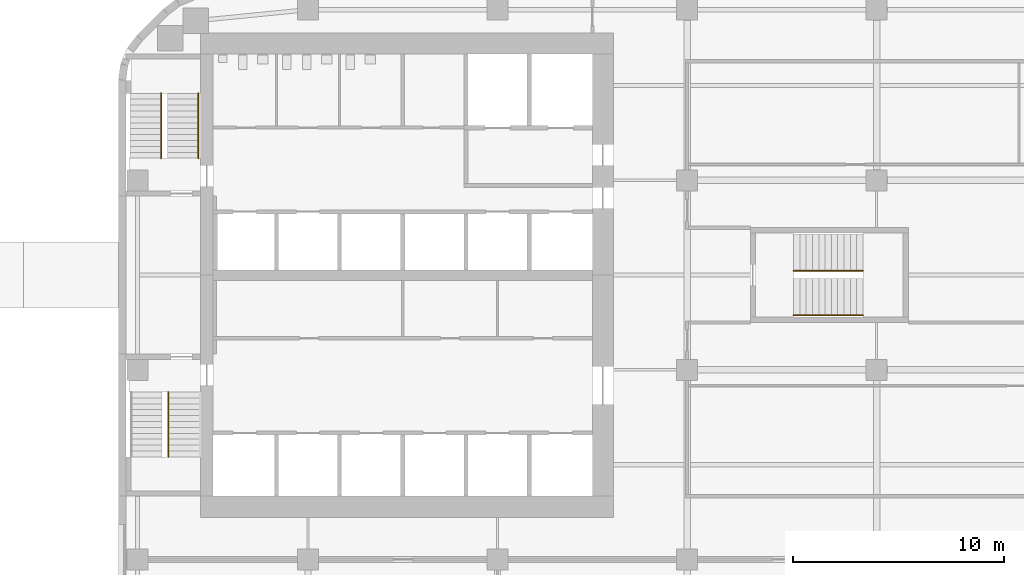
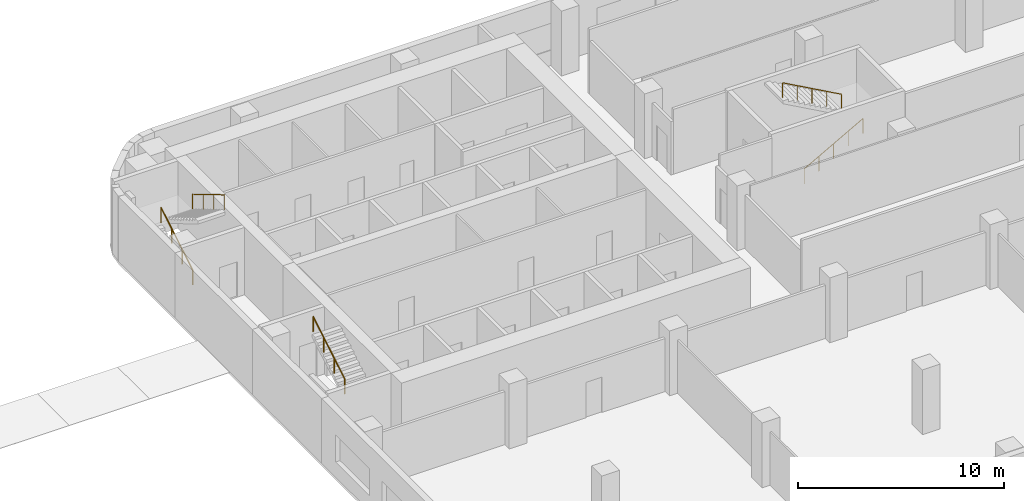
# One storey, part 14 of 15: 5 railings, 3 elements without a shape of their own.
"""IFC4 building model written with IfcOpenShell, lengths in metres."""

from ifc_helpers import new_model, si_unit, direction, frame, origin, origin_2d, place, context, subcontext, project, spatial, circle, extrude, material, type_object, element, aggregate, save


model = new_model("IFC4")

# Units and contexts
model_context = context("Model", 3, precision=1e-05, world=origin(), true_north=direction((0.0, 1.0)))
body_context = subcontext(model_context, "Body", "Model", "MODEL_VIEW")
ifc_project = project(units=[si_unit("LENGTHUNIT", "METRE"), si_unit("AREAUNIT", "SQUARE_METRE"), si_unit("VOLUMEUNIT", "CUBIC_METRE"), si_unit("PLANEANGLEUNIT", "RADIAN"), si_unit("MASSUNIT", "GRAM", prefix="KILO")], contexts=[model_context])

# Site, building, storey
site_placement = place(None, origin())
site = spatial("IfcSite", under=ifc_project, at=site_placement, CompositionType="ELEMENT")
building_placement = place(site_placement, origin())
building = spatial("IfcBuilding", under=site, at=building_placement, Name="Cinnabar Reach Civic Tower", CompositionType="ELEMENT")
storey_placement = place(building_placement, frame((0.0, 0.0, 75.0)))
storey = spatial("IfcBuildingStorey", under=building, at=storey_placement, Name="L17", CompositionType="ELEMENT", Elevation=75.0)

# Stair, railing
ifc_material_1 = material(Name="Concrete C40/50", Category="concrete")
stair_type = type_object("IfcStairType", Name="T1 Exit stair, half-turn", PredefinedType="HALF_TURN_STAIR", material=ifc_material_1)
stair_1_placement = place(storey_placement, origin())
stair_1 = element("IfcStair", 1, at=stair_1_placement, inside=storey, type_object=stair_type, Name="Stair T1-S1", PredefinedType="HALF_TURN_STAIR")
ifc_material_2 = material(Name="Stainless steel tube", Category="steel")
railing_type = type_object("IfcRailingType", Name="T1 Stair handrail, stainless tube 48", PredefinedType="HANDRAIL", material=ifc_material_2)
railing_1_placement = place(storey_placement, frame((2.375, 22.87, 2.1667)))
railing_1 = element("IfcRailing", 2, at=railing_1_placement, type_object=railing_type, Name="T1-S1 handrail 2", PredefinedType="HANDRAIL", context=body_context, shape_type="SweptSolid", body=[
    extrude(circle(Radius=0.024, at=origin_2d()), frame((0.0, 0.0, 0.876), z_axis=(0.0, 0.859296971757, 0.511476992962), x_axis=(-1.0, 0.0, 0.0)), (0.0, 0.0, 1.0), 3.5843),
    extrude(circle(Radius=0.021, at=origin_2d()), origin(), (0.0, 0.0, 1.0), 0.852),
    extrude(circle(Radius=0.021, at=origin_2d()), frame((0.0, 1.0267, 0.6111)), (0.0, 0.0, 1.0), 0.852),
    extrude(circle(Radius=0.021, at=origin_2d()), frame((0.0, 2.0533, 1.2222)), (0.0, 0.0, 1.0), 0.852),
    extrude(circle(Radius=0.021, at=origin_2d()), frame((0.0, 3.08, 1.8333)), (0.0, 0.0, 1.0), 0.852),
])
aggregate(stair_1, [railing_1])

# Stair, railings
stair_2_placement = place(storey_placement, origin())
stair_2 = element("IfcStair", 3, at=stair_2_placement, inside=storey, type_object=stair_type, Name="Stair T1-S2", PredefinedType="HALF_TURN_STAIR")
railing_2_placement = place(storey_placement, frame((2.025, 37.05, 0.1667)))
railing_2 = element("IfcRailing", 4, at=railing_2_placement, type_object=railing_type, Name="T1-S2 handrail 1", PredefinedType="HANDRAIL", context=body_context, shape_type="SweptSolid", body=[
    extrude(circle(Radius=0.024, at=origin_2d()), frame((0.0, 0.0, 0.876), z_axis=(0.0, 0.859296971757, 0.511476992962), x_axis=(-1.0, 0.0, 0.0)), (0.0, 0.0, 1.0), 3.5843),
    extrude(circle(Radius=0.021, at=origin_2d()), origin(), (0.0, 0.0, 1.0), 0.852),
    extrude(circle(Radius=0.021, at=origin_2d()), frame((0.0, 1.0267, 0.6111)), (0.0, 0.0, 1.0), 0.852),
    extrude(circle(Radius=0.021, at=origin_2d()), frame((0.0, 2.0533, 1.2222)), (0.0, 0.0, 1.0), 0.852),
    extrude(circle(Radius=0.021, at=origin_2d()), frame((0.0, 3.08, 1.8333)), (0.0, 0.0, 1.0), 0.852),
])
railing_3_placement = place(storey_placement, frame((3.8, 40.13, 2.1667)))
railing_3 = element("IfcRailing", 5, at=railing_3_placement, type_object=railing_type, Name="T1-S2 handrail 2", PredefinedType="HANDRAIL", context=body_context, shape_type="SweptSolid", body=[
    extrude(circle(Radius=0.024, at=origin_2d()), frame((0.0, 0.0, 0.876), z_axis=(0.0, -0.859296971757, 0.511476992962), x_axis=(1.0, 0.0, 0.0)), (0.0, 0.0, 1.0), 3.5843),
    extrude(circle(Radius=0.021, at=origin_2d()), origin(), (0.0, 0.0, 1.0), 0.852),
    extrude(circle(Radius=0.021, at=origin_2d()), frame((0.0, -1.0267, 0.6111)), (0.0, 0.0, 1.0), 0.852),
    extrude(circle(Radius=0.021, at=origin_2d()), frame((0.0, -2.0533, 1.2222)), (0.0, 0.0, 1.0), 0.852),
    extrude(circle(Radius=0.021, at=origin_2d()), frame((0.0, -3.08, 1.8333)), (0.0, 0.0, 1.0), 0.852),
])
aggregate(stair_2, [railing_2, railing_3])

stair_3_placement = place(storey_placement, origin())
stair_3 = element("IfcStair", 6, at=stair_3_placement, inside=storey, type_object=stair_type, Name="Stair T1-S3", PredefinedType="HALF_TURN_STAIR")
railing_4_placement = place(storey_placement, frame((32.05, 29.6, 0.1667)))
railing_4 = element("IfcRailing", 7, at=railing_4_placement, type_object=railing_type, Name="T1-S3 handrail 1", PredefinedType="HANDRAIL", context=body_context, shape_type="SweptSolid", body=[
    extrude(circle(Radius=0.024, at=origin_2d()), frame((0.0, 0.0, 0.876), z_axis=(0.874161024642, 0.0, 0.485636183781), x_axis=(0.0, 1.0, 0.0)), (0.0, 0.0, 1.0), 3.775),
    extrude(circle(Radius=0.021, at=origin_2d()), origin(), (0.0, 0.0, 1.0), 0.852),
    extrude(circle(Radius=0.021, at=origin_2d()), frame((0.825, 0.0, 0.4583)), (0.0, 0.0, 1.0), 0.852),
    extrude(circle(Radius=0.021, at=origin_2d()), frame((1.65, 0.0, 0.9166)), (0.0, 0.0, 1.0), 0.852),
    extrude(circle(Radius=0.021, at=origin_2d()), frame((2.475, 0.0, 1.375)), (0.0, 0.0, 1.0), 0.852),
    extrude(circle(Radius=0.021, at=origin_2d()), frame((3.3, 0.0, 1.8333)), (0.0, 0.0, 1.0), 0.852),
])
railing_5_placement = place(storey_placement, frame((35.35, 31.7, 2.1667)))
railing_5 = element("IfcRailing", 8, at=railing_5_placement, type_object=railing_type, Name="T1-S3 handrail 2", PredefinedType="HANDRAIL", context=body_context, shape_type="SweptSolid", body=[
    extrude(circle(Radius=0.024, at=origin_2d()), frame((0.0, 0.0, 0.876), z_axis=(-0.874161024642, 0.0, 0.485636183781), x_axis=(0.0, -1.0, 0.0)), (0.0, 0.0, 1.0), 3.775),
    extrude(circle(Radius=0.021, at=origin_2d()), origin(), (0.0, 0.0, 1.0), 0.852),
    extrude(circle(Radius=0.021, at=origin_2d()), frame((-0.825, 0.0, 0.4583)), (0.0, 0.0, 1.0), 0.852),
    extrude(circle(Radius=0.021, at=origin_2d()), frame((-1.65, 0.0, 0.9166)), (0.0, 0.0, 1.0), 0.852),
    extrude(circle(Radius=0.021, at=origin_2d()), frame((-2.475, 0.0, 1.375)), (0.0, 0.0, 1.0), 0.852),
    extrude(circle(Radius=0.021, at=origin_2d()), frame((-3.3, 0.0, 1.8333)), (0.0, 0.0, 1.0), 0.852),
])
aggregate(stair_3, [railing_4, railing_5])

save(model, "model.ifc")
